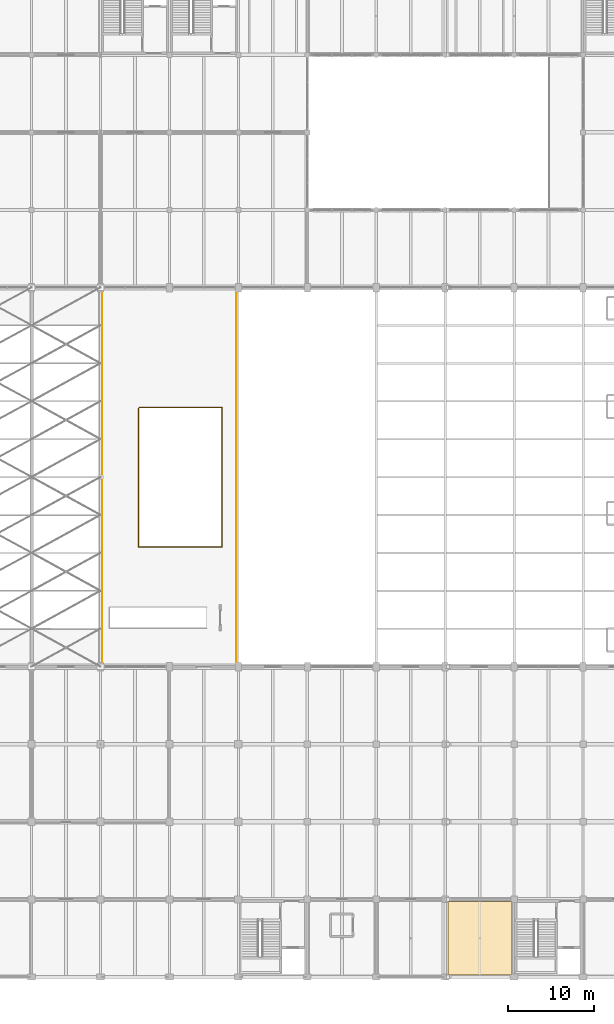
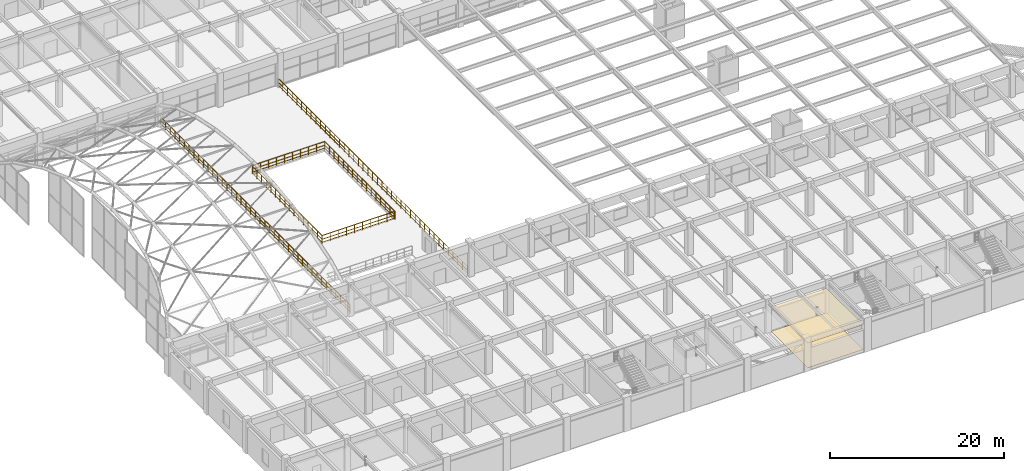
# One storey, part 136 of 144: 4 railings, 2 coverings.
"""IFC4 building model written with IfcOpenShell, lengths in metres."""

from ifc_helpers import new_model, si_unit, direction, frame, origin, origin_2d, place, context, subcontext, project, spatial, polyline, circle, outline, extrude, material, layer, layer_set, type_object, element, save


model = new_model("IFC4")

# Units and contexts
model_context = context("Model", 3, precision=1e-05, world=origin(), true_north=direction((0.0, 1.0)))
body_context = subcontext(model_context, "Body", "Model", "MODEL_VIEW")
ifc_project = project(units=[si_unit("LENGTHUNIT", "METRE"), si_unit("AREAUNIT", "SQUARE_METRE"), si_unit("VOLUMEUNIT", "CUBIC_METRE"), si_unit("PLANEANGLEUNIT", "RADIAN"), si_unit("MASSUNIT", "GRAM", prefix="KILO")], contexts=[model_context])

# Site, building, storey
site_placement = place(None, origin())
site = spatial("IfcSite", under=ifc_project, at=site_placement, CompositionType="ELEMENT")
building_placement = place(site_placement, origin())
building = spatial("IfcBuilding", under=site, at=building_placement, Name="Varnabhumi Central Station", CompositionType="ELEMENT")
storey_placement = place(building_placement, frame((0.0, 0.0, 4.800048828125)))
storey = spatial("IfcBuildingStorey", under=building, at=storey_placement, Name="L01", CompositionType="ELEMENT", Elevation=4.800048828125)

# Coverings
ifc_material_1 = material(Name="Mineral-fibre acoustic tile")
ifc_layer_1 = layer(ifc_material_1, 0.02490234375, Name="Mineral-fibre acoustic tile")
ifc_layer_set_1 = layer_set([ifc_layer_1], Name="Mineral-fibre acoustic tile")
covering_type_1 = type_object("IfcCoveringType", Name="COV-CEIL-ACOUSTIC", PredefinedType="CEILING", material=ifc_layer_set_1)
covering_1_placement = place(storey_placement, frame((0.0, 0.0, 3.469970703125)))
element("IfcCovering", 1, at=covering_1_placement, inside=storey, type_object=covering_type_1, Name="Parcel Dispatch Records Office Acoustic Ceiling", PredefinedType="CEILING", context=body_context, shape_type="SweptSolid", body=[
    extrude(outline(polyline([(64.35009765625, 0.25), (71.75, 0.25), (71.75, 8.75), (64.35009765625, 8.75), (64.35009765625, 0.25)])), origin(), (0.0, 0.0, 1.0), 0.02490234375),
])
ifc_material_2 = material(Name="Vitrified granite stone flooring", Category="masonry")
ifc_layer_2 = layer(ifc_material_2, 0.030029296875, Name="Vitrified granite stone flooring", Category="masonry")
ifc_layer_set_2 = layer_set([ifc_layer_2], Name="Vitrified granite stone flooring")
covering_type_2 = type_object("IfcCoveringType", Name="COV-FLOR-GRANITE", PredefinedType="FLOORING", material=ifc_layer_set_2)
covering_2_placement = place(storey_placement, origin())
element("IfcCovering", 2, at=covering_2_placement, inside=storey, type_object=covering_type_2, Name="Parcel Dispatch Records Office Granite Flooring", PredefinedType="FLOORING", context=body_context, shape_type="SweptSolid", body=[
    extrude(outline(polyline([(64.35009765625, 0.25), (71.75, 0.25), (71.75, 8.75), (64.35009765625, 8.75), (64.35009765625, 0.25)])), origin(), (0.0, 0.0, 1.0), 0.030029296875),
])

# Railings
ifc_material_3 = material(Name="Stainless steel Grade 316", Category="steel")
railing_type = type_object("IfcRailingType", Name="RAIL-GUARD-1150", PredefinedType="GUARDRAIL", material=ifc_material_3)
railing_1_placement = place(storey_placement, frame((39.800048828125, 36.199951171875, 0.0)))
element("IfcRailing", 3, at=railing_1_placement, inside=storey, type_object=railing_type, Name="L01 Arrival Gallery Overlook Guard", PredefinedType="GUARDRAIL", context=body_context, shape_type="SweptSolid", body=[
    extrude(circle(Radius=0.02392578125, at=origin_2d()), frame((0.0, 0.0, 1.1259765625), z_axis=(0.0, 1.0, 0.0), x_axis=(-1.0, 0.0, 0.0)), (0.0, 0.0, 1.0), 43.60009765625),
    extrude(circle(Radius=0.01416015625, at=origin_2d()), frame((0.0, 0.0, 0.597900390625), z_axis=(0.0, 1.0, 0.0), x_axis=(-1.0, 0.0, 0.0)), (0.0, 0.0, 1.0), 43.60009765625),
    extrude(circle(Radius=0.01416015625, at=origin_2d()), frame((0.0, 0.0, 0.18408203125), z_axis=(0.0, 1.0, 0.0), x_axis=(-1.0, 0.0, 0.0)), (0.0, 0.0, 1.0), 43.60009765625),
    extrude(circle(Radius=0.02099609375, at=origin_2d()), origin(), (0.0, 0.0, 1.0), 1.101806640625),
    extrude(circle(Radius=0.02099609375, at=origin_2d()), frame((0.0, 1.090087890625, 0.0)), (0.0, 0.0, 1.0), 1.101806640625),
    extrude(circle(Radius=0.02099609375, at=origin_2d()), frame((0.0, 2.179931640625, 0.0)), (0.0, 0.0, 1.0), 1.101806640625),
    extrude(circle(Radius=0.02099609375, at=origin_2d()), frame((0.0, 3.27001953125, 0.0)), (0.0, 0.0, 1.0), 1.101806640625),
    extrude(circle(Radius=0.02099609375, at=origin_2d()), frame((0.0, 4.360107421875, 0.0)), (0.0, 0.0, 1.0), 1.101806640625),
    extrude(circle(Radius=0.02099609375, at=origin_2d()), frame((0.0, 5.449951171875, 0.0)), (0.0, 0.0, 1.0), 1.101806640625),
    extrude(circle(Radius=0.02099609375, at=origin_2d()), frame((0.0, 6.5400390625, 0.0)), (0.0, 0.0, 1.0), 1.101806640625),
    extrude(circle(Radius=0.02099609375, at=origin_2d()), frame((0.0, 7.630126953125, 0.0)), (0.0, 0.0, 1.0), 1.101806640625),
    extrude(circle(Radius=0.02099609375, at=origin_2d()), frame((0.0, 8.719970703125, 0.0)), (0.0, 0.0, 1.0), 1.101806640625),
    extrude(circle(Radius=0.02099609375, at=origin_2d()), frame((0.0, 9.81005859375, 0.0)), (0.0, 0.0, 1.0), 1.101806640625),
    extrude(circle(Radius=0.02099609375, at=origin_2d()), frame((0.0, 10.89990234375, 0.0)), (0.0, 0.0, 1.0), 1.101806640625),
    extrude(circle(Radius=0.02099609375, at=origin_2d()), frame((0.0, 11.989990234375, 0.0)), (0.0, 0.0, 1.0), 1.101806640625),
    extrude(circle(Radius=0.02099609375, at=origin_2d()), frame((0.0, 13.080078125, 0.0)), (0.0, 0.0, 1.0), 1.101806640625),
    extrude(circle(Radius=0.02099609375, at=origin_2d()), frame((0.0, 14.169921875, 0.0)), (0.0, 0.0, 1.0), 1.101806640625),
    extrude(circle(Radius=0.02099609375, at=origin_2d()), frame((0.0, 15.260009765625, 0.0)), (0.0, 0.0, 1.0), 1.101806640625),
    extrude(circle(Radius=0.02099609375, at=origin_2d()), frame((0.0, 16.35009765625, 0.0)), (0.0, 0.0, 1.0), 1.101806640625),
    extrude(circle(Radius=0.02099609375, at=origin_2d()), frame((0.0, 17.43994140625, 0.0)), (0.0, 0.0, 1.0), 1.101806640625),
    extrude(circle(Radius=0.02099609375, at=origin_2d()), frame((0.0, 18.530029296875, 0.0)), (0.0, 0.0, 1.0), 1.101806640625),
    extrude(circle(Radius=0.02099609375, at=origin_2d()), frame((0.0, 19.6201171875, 0.0)), (0.0, 0.0, 1.0), 1.101806640625),
    extrude(circle(Radius=0.02099609375, at=origin_2d()), frame((0.0, 20.7099609375, 0.0)), (0.0, 0.0, 1.0), 1.101806640625),
    extrude(circle(Radius=0.02099609375, at=origin_2d()), frame((0.0, 21.800048828125, 0.0)), (0.0, 0.0, 1.0), 1.101806640625),
    extrude(circle(Radius=0.02099609375, at=origin_2d()), frame((0.0, 22.89013671875, 0.0)), (0.0, 0.0, 1.0), 1.101806640625),
    extrude(circle(Radius=0.02099609375, at=origin_2d()), frame((0.0, 23.97998046875, 0.0)), (0.0, 0.0, 1.0), 1.101806640625),
    extrude(circle(Radius=0.02099609375, at=origin_2d()), frame((0.0, 25.070068359375, 0.0)), (0.0, 0.0, 1.0), 1.101806640625),
    extrude(circle(Radius=0.02099609375, at=origin_2d()), frame((0.0, 26.16015625, 0.0)), (0.0, 0.0, 1.0), 1.101806640625),
    extrude(circle(Radius=0.02099609375, at=origin_2d()), frame((0.0, 27.25, 0.0)), (0.0, 0.0, 1.0), 1.101806640625),
    extrude(circle(Radius=0.02099609375, at=origin_2d()), frame((0.0, 28.340087890625, 0.0)), (0.0, 0.0, 1.0), 1.101806640625),
    extrude(circle(Radius=0.02099609375, at=origin_2d()), frame((0.0, 29.43017578125, 0.0)), (0.0, 0.0, 1.0), 1.101806640625),
    extrude(circle(Radius=0.02099609375, at=origin_2d()), frame((0.0, 30.52001953125, 0.0)), (0.0, 0.0, 1.0), 1.101806640625),
    extrude(circle(Radius=0.02099609375, at=origin_2d()), frame((0.0, 31.610107421875, 0.0)), (0.0, 0.0, 1.0), 1.101806640625),
    extrude(circle(Radius=0.02099609375, at=origin_2d()), frame((0.0, 32.7001953125, 0.0)), (0.0, 0.0, 1.0), 1.101806640625),
    extrude(circle(Radius=0.02099609375, at=origin_2d()), frame((0.0, 33.7900390625, 0.0)), (0.0, 0.0, 1.0), 1.101806640625),
    extrude(circle(Radius=0.02099609375, at=origin_2d()), frame((0.0, 34.880126953125, 0.0)), (0.0, 0.0, 1.0), 1.101806640625),
    extrude(circle(Radius=0.02099609375, at=origin_2d()), frame((0.0, 35.969970703125, 0.0)), (0.0, 0.0, 1.0), 1.101806640625),
    extrude(circle(Radius=0.02099609375, at=origin_2d()), frame((0.0, 37.06005859375, 0.0)), (0.0, 0.0, 1.0), 1.101806640625),
    extrude(circle(Radius=0.02099609375, at=origin_2d()), frame((0.0, 38.150146484375, 0.0)), (0.0, 0.0, 1.0), 1.101806640625),
    extrude(circle(Radius=0.02099609375, at=origin_2d()), frame((0.0, 39.239990234375, 0.0)), (0.0, 0.0, 1.0), 1.101806640625),
    extrude(circle(Radius=0.02099609375, at=origin_2d()), frame((0.0, 40.330078125, 0.0)), (0.0, 0.0, 1.0), 1.101806640625),
    extrude(circle(Radius=0.02099609375, at=origin_2d()), frame((0.0, 41.420166015625, 0.0)), (0.0, 0.0, 1.0), 1.101806640625),
    extrude(circle(Radius=0.02099609375, at=origin_2d()), frame((0.0, 42.510009765625, 0.0)), (0.0, 0.0, 1.0), 1.101806640625),
    extrude(circle(Radius=0.02099609375, at=origin_2d()), frame((0.0, 43.60009765625, 0.0)), (0.0, 0.0, 1.0), 1.101806640625),
])
railing_2_placement = place(storey_placement, frame((24.199951171875, 36.199951171875, 0.0)))
element("IfcRailing", 4, at=railing_2_placement, inside=storey, type_object=railing_type, Name="L01 Arrival Gallery Forecourt Edge Guard", PredefinedType="GUARDRAIL", context=body_context, shape_type="SweptSolid", body=[
    extrude(circle(Radius=0.02392578125, at=origin_2d()), frame((0.0, 0.0, 1.1259765625), z_axis=(0.0, 1.0, 0.0), x_axis=(-1.0, 0.0, 0.0)), (0.0, 0.0, 1.0), 43.60009765625),
    extrude(circle(Radius=0.01416015625, at=origin_2d()), frame((0.0, 0.0, 0.597900390625), z_axis=(0.0, 1.0, 0.0), x_axis=(-1.0, 0.0, 0.0)), (0.0, 0.0, 1.0), 43.60009765625),
    extrude(circle(Radius=0.01416015625, at=origin_2d()), frame((0.0, 0.0, 0.18408203125), z_axis=(0.0, 1.0, 0.0), x_axis=(-1.0, 0.0, 0.0)), (0.0, 0.0, 1.0), 43.60009765625),
    extrude(circle(Radius=0.02099609375, at=origin_2d()), origin(), (0.0, 0.0, 1.0), 1.101806640625),
    extrude(circle(Radius=0.02099609375, at=origin_2d()), frame((0.0, 1.090087890625, 0.0)), (0.0, 0.0, 1.0), 1.101806640625),
    extrude(circle(Radius=0.02099609375, at=origin_2d()), frame((0.0, 2.179931640625, 0.0)), (0.0, 0.0, 1.0), 1.101806640625),
    extrude(circle(Radius=0.02099609375, at=origin_2d()), frame((0.0, 3.27001953125, 0.0)), (0.0, 0.0, 1.0), 1.101806640625),
    extrude(circle(Radius=0.02099609375, at=origin_2d()), frame((0.0, 4.360107421875, 0.0)), (0.0, 0.0, 1.0), 1.101806640625),
    extrude(circle(Radius=0.02099609375, at=origin_2d()), frame((0.0, 5.449951171875, 0.0)), (0.0, 0.0, 1.0), 1.101806640625),
    extrude(circle(Radius=0.02099609375, at=origin_2d()), frame((0.0, 6.5400390625, 0.0)), (0.0, 0.0, 1.0), 1.101806640625),
    extrude(circle(Radius=0.02099609375, at=origin_2d()), frame((0.0, 7.630126953125, 0.0)), (0.0, 0.0, 1.0), 1.101806640625),
    extrude(circle(Radius=0.02099609375, at=origin_2d()), frame((0.0, 8.719970703125, 0.0)), (0.0, 0.0, 1.0), 1.101806640625),
    extrude(circle(Radius=0.02099609375, at=origin_2d()), frame((0.0, 9.81005859375, 0.0)), (0.0, 0.0, 1.0), 1.101806640625),
    extrude(circle(Radius=0.02099609375, at=origin_2d()), frame((0.0, 10.89990234375, 0.0)), (0.0, 0.0, 1.0), 1.101806640625),
    extrude(circle(Radius=0.02099609375, at=origin_2d()), frame((0.0, 11.989990234375, 0.0)), (0.0, 0.0, 1.0), 1.101806640625),
    extrude(circle(Radius=0.02099609375, at=origin_2d()), frame((0.0, 13.080078125, 0.0)), (0.0, 0.0, 1.0), 1.101806640625),
    extrude(circle(Radius=0.02099609375, at=origin_2d()), frame((0.0, 14.169921875, 0.0)), (0.0, 0.0, 1.0), 1.101806640625),
    extrude(circle(Radius=0.02099609375, at=origin_2d()), frame((0.0, 15.260009765625, 0.0)), (0.0, 0.0, 1.0), 1.101806640625),
    extrude(circle(Radius=0.02099609375, at=origin_2d()), frame((0.0, 16.35009765625, 0.0)), (0.0, 0.0, 1.0), 1.101806640625),
    extrude(circle(Radius=0.02099609375, at=origin_2d()), frame((0.0, 17.43994140625, 0.0)), (0.0, 0.0, 1.0), 1.101806640625),
    extrude(circle(Radius=0.02099609375, at=origin_2d()), frame((0.0, 18.530029296875, 0.0)), (0.0, 0.0, 1.0), 1.101806640625),
    extrude(circle(Radius=0.02099609375, at=origin_2d()), frame((0.0, 19.6201171875, 0.0)), (0.0, 0.0, 1.0), 1.101806640625),
    extrude(circle(Radius=0.02099609375, at=origin_2d()), frame((0.0, 20.7099609375, 0.0)), (0.0, 0.0, 1.0), 1.101806640625),
    extrude(circle(Radius=0.02099609375, at=origin_2d()), frame((0.0, 21.800048828125, 0.0)), (0.0, 0.0, 1.0), 1.101806640625),
    extrude(circle(Radius=0.02099609375, at=origin_2d()), frame((0.0, 22.89013671875, 0.0)), (0.0, 0.0, 1.0), 1.101806640625),
    extrude(circle(Radius=0.02099609375, at=origin_2d()), frame((0.0, 23.97998046875, 0.0)), (0.0, 0.0, 1.0), 1.101806640625),
    extrude(circle(Radius=0.02099609375, at=origin_2d()), frame((0.0, 25.070068359375, 0.0)), (0.0, 0.0, 1.0), 1.101806640625),
    extrude(circle(Radius=0.02099609375, at=origin_2d()), frame((0.0, 26.16015625, 0.0)), (0.0, 0.0, 1.0), 1.101806640625),
    extrude(circle(Radius=0.02099609375, at=origin_2d()), frame((0.0, 27.25, 0.0)), (0.0, 0.0, 1.0), 1.101806640625),
    extrude(circle(Radius=0.02099609375, at=origin_2d()), frame((0.0, 28.340087890625, 0.0)), (0.0, 0.0, 1.0), 1.101806640625),
    extrude(circle(Radius=0.02099609375, at=origin_2d()), frame((0.0, 29.43017578125, 0.0)), (0.0, 0.0, 1.0), 1.101806640625),
    extrude(circle(Radius=0.02099609375, at=origin_2d()), frame((0.0, 30.52001953125, 0.0)), (0.0, 0.0, 1.0), 1.101806640625),
    extrude(circle(Radius=0.02099609375, at=origin_2d()), frame((0.0, 31.610107421875, 0.0)), (0.0, 0.0, 1.0), 1.101806640625),
    extrude(circle(Radius=0.02099609375, at=origin_2d()), frame((0.0, 32.7001953125, 0.0)), (0.0, 0.0, 1.0), 1.101806640625),
    extrude(circle(Radius=0.02099609375, at=origin_2d()), frame((0.0, 33.7900390625, 0.0)), (0.0, 0.0, 1.0), 1.101806640625),
    extrude(circle(Radius=0.02099609375, at=origin_2d()), frame((0.0, 34.880126953125, 0.0)), (0.0, 0.0, 1.0), 1.101806640625),
    extrude(circle(Radius=0.02099609375, at=origin_2d()), frame((0.0, 35.969970703125, 0.0)), (0.0, 0.0, 1.0), 1.101806640625),
    extrude(circle(Radius=0.02099609375, at=origin_2d()), frame((0.0, 37.06005859375, 0.0)), (0.0, 0.0, 1.0), 1.101806640625),
    extrude(circle(Radius=0.02099609375, at=origin_2d()), frame((0.0, 38.150146484375, 0.0)), (0.0, 0.0, 1.0), 1.101806640625),
    extrude(circle(Radius=0.02099609375, at=origin_2d()), frame((0.0, 39.239990234375, 0.0)), (0.0, 0.0, 1.0), 1.101806640625),
    extrude(circle(Radius=0.02099609375, at=origin_2d()), frame((0.0, 40.330078125, 0.0)), (0.0, 0.0, 1.0), 1.101806640625),
    extrude(circle(Radius=0.02099609375, at=origin_2d()), frame((0.0, 41.420166015625, 0.0)), (0.0, 0.0, 1.0), 1.101806640625),
    extrude(circle(Radius=0.02099609375, at=origin_2d()), frame((0.0, 42.510009765625, 0.0)), (0.0, 0.0, 1.0), 1.101806640625),
    extrude(circle(Radius=0.02099609375, at=origin_2d()), frame((0.0, 43.60009765625, 0.0)), (0.0, 0.0, 1.0), 1.101806640625),
])
railing_3_placement = place(storey_placement, frame((28.39990234375, 66.0, 0.0)))
element("IfcRailing", 5, at=railing_3_placement, inside=storey, type_object=railing_type, Name="L01 Atrium Well South-West Guard", PredefinedType="GUARDRAIL", context=body_context, shape_type="SweptSolid", body=[
    extrude(circle(Radius=0.02392578125, at=origin_2d()), frame((0.0, 0.0, 1.1259765625), z_axis=(0.0, -1.0, 0.0), x_axis=(1.0, 0.0, 0.0)), (0.0, 0.0, 1.0), 16.10009765625),
    extrude(circle(Radius=0.01416015625, at=origin_2d()), frame((0.0, 0.0, 0.597900390625), z_axis=(0.0, -1.0, 0.0), x_axis=(1.0, 0.0, 0.0)), (0.0, 0.0, 1.0), 16.10009765625),
    extrude(circle(Radius=0.01416015625, at=origin_2d()), frame((0.0, 0.0, 0.18408203125), z_axis=(0.0, -1.0, 0.0), x_axis=(1.0, 0.0, 0.0)), (0.0, 0.0, 1.0), 16.10009765625),
    extrude(circle(Radius=0.02392578125, at=origin_2d()), frame((0.0, -16.10009765625, 1.1259765625), z_axis=(1.0, 0.0, 0.0), x_axis=(0.0, 1.0, 0.0)), (0.0, 0.0, 1.0), 9.7001953125),
    extrude(circle(Radius=0.01416015625, at=origin_2d()), frame((0.0, -16.10009765625, 0.597900390625), z_axis=(1.0, 0.0, 0.0), x_axis=(0.0, 1.0, 0.0)), (0.0, 0.0, 1.0), 9.7001953125),
    extrude(circle(Radius=0.01416015625, at=origin_2d()), frame((0.0, -16.10009765625, 0.18408203125), z_axis=(1.0, 0.0, 0.0), x_axis=(0.0, 1.0, 0.0)), (0.0, 0.0, 1.0), 9.7001953125),
    extrude(circle(Radius=0.02099609375, at=origin_2d()), origin(), (0.0, 0.0, 1.0), 1.101806640625),
    extrude(circle(Radius=0.02099609375, at=origin_2d()), frame((0.0, -1.0732421875, 0.0)), (0.0, 0.0, 1.0), 1.101806640625),
    extrude(circle(Radius=0.02099609375, at=origin_2d()), frame((0.0, -2.146728515625, 0.0)), (0.0, 0.0, 1.0), 1.101806640625),
    extrude(circle(Radius=0.02099609375, at=origin_2d()), frame((0.0, -3.219970703125, 0.0)), (0.0, 0.0, 1.0), 1.101806640625),
    extrude(circle(Radius=0.02099609375, at=origin_2d()), frame((0.0, -4.29345703125, 0.0)), (0.0, 0.0, 1.0), 1.101806640625),
    extrude(circle(Radius=0.02099609375, at=origin_2d()), frame((0.0, -5.36669921875, 0.0)), (0.0, 0.0, 1.0), 1.101806640625),
    extrude(circle(Radius=0.02099609375, at=origin_2d()), frame((0.0, -6.43994140625, 0.0)), (0.0, 0.0, 1.0), 1.101806640625),
    extrude(circle(Radius=0.02099609375, at=origin_2d()), frame((0.0, -7.513427734375, 0.0)), (0.0, 0.0, 1.0), 1.101806640625),
    extrude(circle(Radius=0.02099609375, at=origin_2d()), frame((0.0, -8.586669921875, 0.0)), (0.0, 0.0, 1.0), 1.101806640625),
    extrude(circle(Radius=0.02099609375, at=origin_2d()), frame((0.0, -9.66015625, 0.0)), (0.0, 0.0, 1.0), 1.101806640625),
    extrude(circle(Radius=0.02099609375, at=origin_2d()), frame((0.0, -10.7333984375, 0.0)), (0.0, 0.0, 1.0), 1.101806640625),
    extrude(circle(Radius=0.02099609375, at=origin_2d()), frame((0.0, -11.806640625, 0.0)), (0.0, 0.0, 1.0), 1.101806640625),
    extrude(circle(Radius=0.02099609375, at=origin_2d()), frame((0.0, -12.880126953125, 0.0)), (0.0, 0.0, 1.0), 1.101806640625),
    extrude(circle(Radius=0.02099609375, at=origin_2d()), frame((0.0, -13.953369140625, 0.0)), (0.0, 0.0, 1.0), 1.101806640625),
    extrude(circle(Radius=0.02099609375, at=origin_2d()), frame((0.0, -15.02685546875, 0.0)), (0.0, 0.0, 1.0), 1.101806640625),
    extrude(circle(Radius=0.02099609375, at=origin_2d()), frame((0.0, -16.10009765625, 0.0)), (0.0, 0.0, 1.0), 1.101806640625),
    extrude(circle(Radius=0.02099609375, at=origin_2d()), frame((1.077880859375, -16.10009765625, 0.0)), (0.0, 0.0, 1.0), 1.101806640625),
    extrude(circle(Radius=0.02099609375, at=origin_2d()), frame((2.155517578125, -16.10009765625, 0.0)), (0.0, 0.0, 1.0), 1.101806640625),
    extrude(circle(Radius=0.02099609375, at=origin_2d()), frame((3.2333984375, -16.10009765625, 0.0)), (0.0, 0.0, 1.0), 1.101806640625),
    extrude(circle(Radius=0.02099609375, at=origin_2d()), frame((4.311279296875, -16.10009765625, 0.0)), (0.0, 0.0, 1.0), 1.101806640625),
    extrude(circle(Radius=0.02099609375, at=origin_2d()), frame((5.388916015625, -16.10009765625, 0.0)), (0.0, 0.0, 1.0), 1.101806640625),
    extrude(circle(Radius=0.02099609375, at=origin_2d()), frame((6.466796875, -16.10009765625, 0.0)), (0.0, 0.0, 1.0), 1.101806640625),
    extrude(circle(Radius=0.02099609375, at=origin_2d()), frame((7.544677734375, -16.10009765625, 0.0)), (0.0, 0.0, 1.0), 1.101806640625),
    extrude(circle(Radius=0.02099609375, at=origin_2d()), frame((8.622314453125, -16.10009765625, 0.0)), (0.0, 0.0, 1.0), 1.101806640625),
    extrude(circle(Radius=0.02099609375, at=origin_2d()), frame((9.7001953125, -16.10009765625, 0.0)), (0.0, 0.0, 1.0), 1.101806640625),
])
railing_4_placement = place(storey_placement, frame((38.10009765625, 50.0, 0.0)))
element("IfcRailing", 6, at=railing_4_placement, inside=storey, type_object=railing_type, Name="L01 Atrium Well North-East Guard", PredefinedType="GUARDRAIL", context=body_context, shape_type="SweptSolid", body=[
    extrude(circle(Radius=0.02392578125, at=origin_2d()), frame((0.0, 0.0, 1.1259765625), z_axis=(0.0, 1.0, 0.0), x_axis=(-1.0, 0.0, 0.0)), (0.0, 0.0, 1.0), 16.10009765625),
    extrude(circle(Radius=0.01416015625, at=origin_2d()), frame((0.0, 0.0, 0.597900390625), z_axis=(0.0, 1.0, 0.0), x_axis=(-1.0, 0.0, 0.0)), (0.0, 0.0, 1.0), 16.10009765625),
    extrude(circle(Radius=0.01416015625, at=origin_2d()), frame((0.0, 0.0, 0.18408203125), z_axis=(0.0, 1.0, 0.0), x_axis=(-1.0, 0.0, 0.0)), (0.0, 0.0, 1.0), 16.10009765625),
    extrude(circle(Radius=0.02392578125, at=origin_2d()), frame((0.0, 16.10009765625, 1.1259765625), z_axis=(-1.0, 0.0, 0.0), x_axis=(0.0, -1.0, 0.0)), (0.0, 0.0, 1.0), 9.60009765625),
    extrude(circle(Radius=0.01416015625, at=origin_2d()), frame((0.0, 16.10009765625, 0.597900390625), z_axis=(-1.0, 0.0, 0.0), x_axis=(0.0, -1.0, 0.0)), (0.0, 0.0, 1.0), 9.60009765625),
    extrude(circle(Radius=0.01416015625, at=origin_2d()), frame((0.0, 16.10009765625, 0.18408203125), z_axis=(-1.0, 0.0, 0.0), x_axis=(0.0, -1.0, 0.0)), (0.0, 0.0, 1.0), 9.60009765625),
    extrude(circle(Radius=0.02099609375, at=origin_2d()), origin(), (0.0, 0.0, 1.0), 1.101806640625),
    extrude(circle(Radius=0.02099609375, at=origin_2d()), frame((0.0, 1.0732421875, 0.0)), (0.0, 0.0, 1.0), 1.101806640625),
    extrude(circle(Radius=0.02099609375, at=origin_2d()), frame((0.0, 2.146728515625, 0.0)), (0.0, 0.0, 1.0), 1.101806640625),
    extrude(circle(Radius=0.02099609375, at=origin_2d()), frame((0.0, 3.219970703125, 0.0)), (0.0, 0.0, 1.0), 1.101806640625),
    extrude(circle(Radius=0.02099609375, at=origin_2d()), frame((0.0, 4.29345703125, 0.0)), (0.0, 0.0, 1.0), 1.101806640625),
    extrude(circle(Radius=0.02099609375, at=origin_2d()), frame((0.0, 5.36669921875, 0.0)), (0.0, 0.0, 1.0), 1.101806640625),
    extrude(circle(Radius=0.02099609375, at=origin_2d()), frame((0.0, 6.43994140625, 0.0)), (0.0, 0.0, 1.0), 1.101806640625),
    extrude(circle(Radius=0.02099609375, at=origin_2d()), frame((0.0, 7.513427734375, 0.0)), (0.0, 0.0, 1.0), 1.101806640625),
    extrude(circle(Radius=0.02099609375, at=origin_2d()), frame((0.0, 8.586669921875, 0.0)), (0.0, 0.0, 1.0), 1.101806640625),
    extrude(circle(Radius=0.02099609375, at=origin_2d()), frame((0.0, 9.66015625, 0.0)), (0.0, 0.0, 1.0), 1.101806640625),
    extrude(circle(Radius=0.02099609375, at=origin_2d()), frame((0.0, 10.7333984375, 0.0)), (0.0, 0.0, 1.0), 1.101806640625),
    extrude(circle(Radius=0.02099609375, at=origin_2d()), frame((0.0, 11.806640625, 0.0)), (0.0, 0.0, 1.0), 1.101806640625),
    extrude(circle(Radius=0.02099609375, at=origin_2d()), frame((0.0, 12.880126953125, 0.0)), (0.0, 0.0, 1.0), 1.101806640625),
    extrude(circle(Radius=0.02099609375, at=origin_2d()), frame((0.0, 13.953369140625, 0.0)), (0.0, 0.0, 1.0), 1.101806640625),
    extrude(circle(Radius=0.02099609375, at=origin_2d()), frame((0.0, 15.02685546875, 0.0)), (0.0, 0.0, 1.0), 1.101806640625),
    extrude(circle(Radius=0.02099609375, at=origin_2d()), frame((0.0, 16.10009765625, 0.0)), (0.0, 0.0, 1.0), 1.101806640625),
    extrude(circle(Radius=0.02099609375, at=origin_2d()), frame((-1.066650390625, 16.10009765625, 0.0)), (0.0, 0.0, 1.0), 1.101806640625),
    extrude(circle(Radius=0.02099609375, at=origin_2d()), frame((-2.13330078125, 16.10009765625, 0.0)), (0.0, 0.0, 1.0), 1.101806640625),
    extrude(circle(Radius=0.02099609375, at=origin_2d()), frame((-3.199951171875, 16.10009765625, 0.0)), (0.0, 0.0, 1.0), 1.101806640625),
    extrude(circle(Radius=0.02099609375, at=origin_2d()), frame((-4.2666015625, 16.10009765625, 0.0)), (0.0, 0.0, 1.0), 1.101806640625),
    extrude(circle(Radius=0.02099609375, at=origin_2d()), frame((-5.33349609375, 16.10009765625, 0.0)), (0.0, 0.0, 1.0), 1.101806640625),
    extrude(circle(Radius=0.02099609375, at=origin_2d()), frame((-6.400146484375, 16.10009765625, 0.0)), (0.0, 0.0, 1.0), 1.101806640625),
    extrude(circle(Radius=0.02099609375, at=origin_2d()), frame((-7.466796875, 16.10009765625, 0.0)), (0.0, 0.0, 1.0), 1.101806640625),
    extrude(circle(Radius=0.02099609375, at=origin_2d()), frame((-8.533447265625, 16.10009765625, 0.0)), (0.0, 0.0, 1.0), 1.101806640625),
    extrude(circle(Radius=0.02099609375, at=origin_2d()), frame((-9.60009765625, 16.10009765625, 0.0)), (0.0, 0.0, 1.0), 1.101806640625),
])

save(model, "model.ifc")
